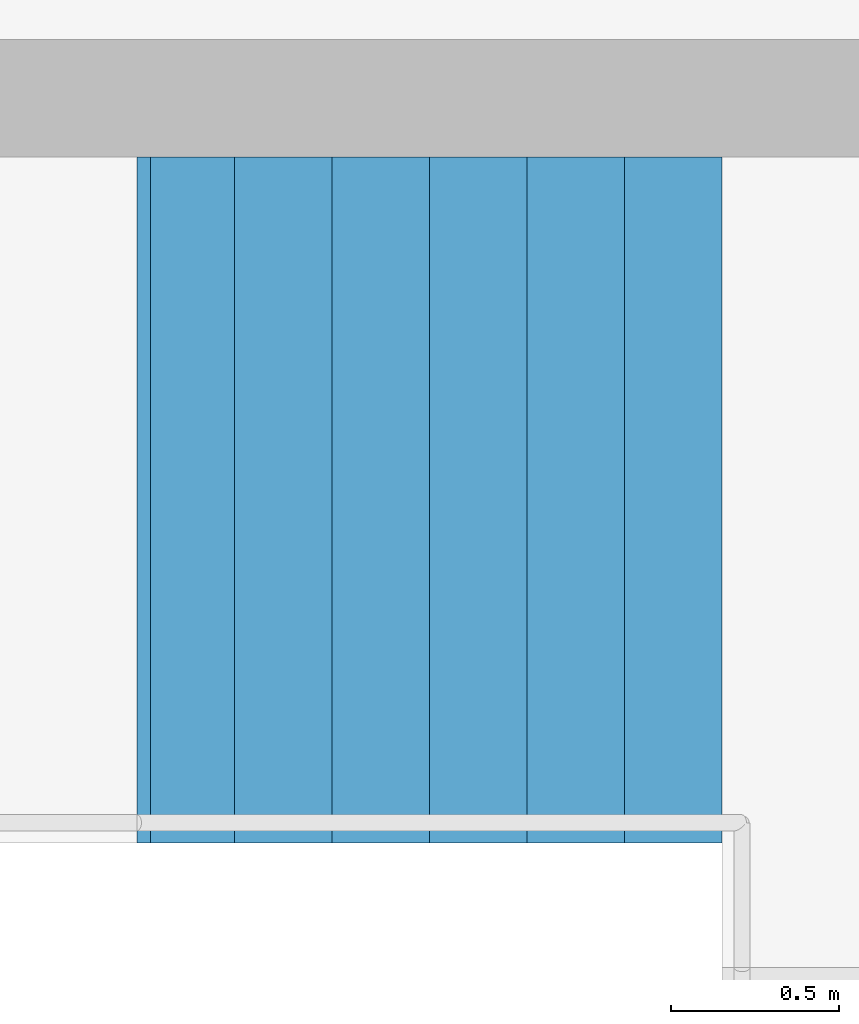
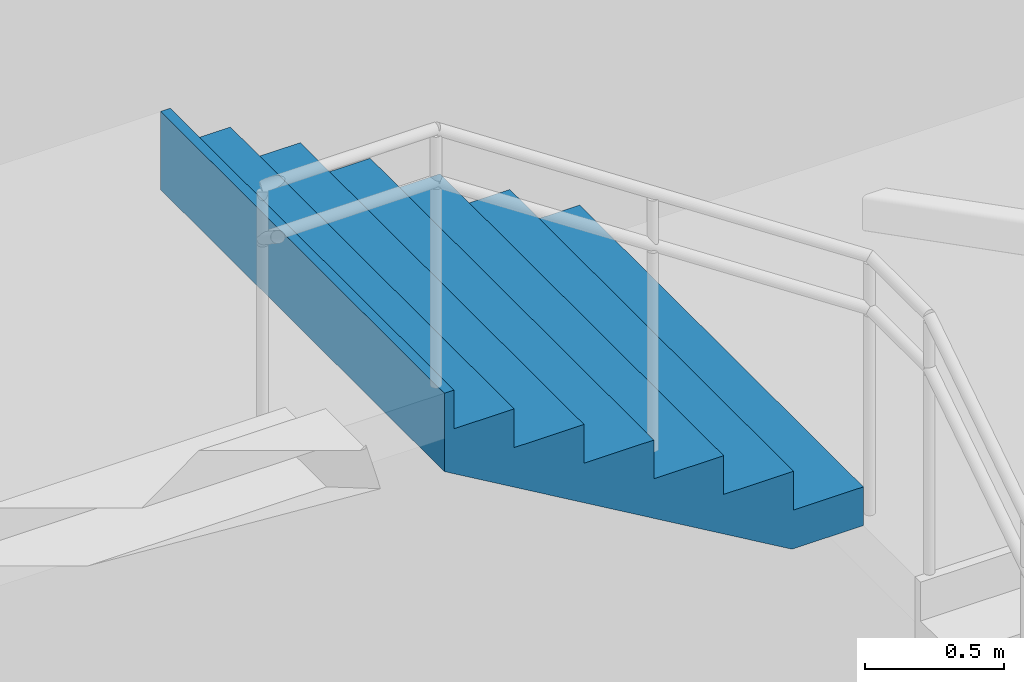
# One storey, part 56 of 58: 1 stair flight, 1 element without a shape of its own.
"""IFC4 building model written with IfcOpenShell, lengths in metres."""

from ifc_helpers import new_model, si_unit, direction, frame, origin, place, context, subcontext, project, spatial, triangles, material, type_object, element, aggregate, save


model = new_model("IFC4")

# Units and contexts
model_context = context("Model", 3, precision=1e-05, world=origin(), true_north=direction((0.0, 1.0)))
body_context = subcontext(model_context, "Body", "Model", "MODEL_VIEW")
ifc_project = project(units=[si_unit("LENGTHUNIT", "METRE"), si_unit("AREAUNIT", "SQUARE_METRE"), si_unit("VOLUMEUNIT", "CUBIC_METRE"), si_unit("PLANEANGLEUNIT", "RADIAN"), si_unit("MASSUNIT", "GRAM", prefix="KILO")], contexts=[model_context])

# Site, building, storey
site_placement = place(None, origin())
site = spatial("IfcSite", under=ifc_project, at=site_placement, CompositionType="ELEMENT")
building_placement = place(site_placement, origin())
building = spatial("IfcBuilding", under=site, at=building_placement, Name="Sillaruma Civic Art Gallery", CompositionType="ELEMENT")
storey_placement = place(building_placement, frame((0.0, 0.0, 52.02001953125)))
storey = spatial("IfcBuildingStorey", under=building, at=storey_placement, Name="L10", CompositionType="ELEMENT", Elevation=52.02001953125)

# Stair, stair flight
ifc_material = material(Name="Concrete H35 (35 MPa)", Category="concrete")
stair_type = type_object("IfcStairType", Name="STR-4F-30", PredefinedType="USERDEFINED", material=ifc_material)
stair_placement = place(storey_placement, origin())
stair = element("IfcStair", 1, at=stair_placement, inside=storey, type_object=stair_type, Name="Protected Exit Stair ST-02 (West Bar North) (L10)", ObjectType="THREE_RETURN_STAIR", PredefinedType="USERDEFINED")
stair_flight_type = type_object("IfcStairFlightType", Name="SFL-STR-7", PredefinedType="STRAIGHT", material=ifc_material)
stair_flight_placement = place(storey_placement, frame((67.199951171875, 86.3701171875, 2.719970703125), z_axis=(0.0, 0.0, 1.0), x_axis=(-1.0, 0.0, 0.0)))
stair_flight = element("IfcStairFlight", 2, at=stair_flight_placement, type_object=stair_flight_type, Name="ST-02 flight 3", NumberOfRisers=7, NumberOfTreads=6, PredefinedType="STRAIGHT", RiserHeight=0.17, TreadLength=0.29, context=body_context, shape_type="Tessellation", body=[
    triangles([(0.0, -1.02001953125, 0.0), (0.29, -1.02001953125, 0.0), (0.296404, -1.02001953125, 0.0), (0.58, -1.02001953125, 0.166246), (0.87, -1.02001953125, 0.336246), (1.16, -1.02001953125, 0.506246), (1.45, -1.02001953125, 0.676246), (1.69999, -1.02001953125, 0.822792), (1.73999, -1.02001953125, 0.84624), (1.73999, -1.02001953125, 1.19), (1.69999, -1.02001953125, 1.19), (1.69999, -1.02001953125, 1.02), (1.45, -1.02001953125, 1.02), (1.45, -1.02001953125, 0.85), (1.16, -1.02001953125, 0.85), (1.16, -1.02001953125, 0.68), (0.87, -1.02001953125, 0.68), (0.87, -1.02001953125, 0.51), (0.58, -1.02001953125, 0.51), (0.58, -1.02001953125, 0.34), (0.296404, -1.02001953125, 0.34), (0.29, -1.02001953125, 0.34), (0.29, -1.02001953125, 0.17), (0.0, -1.02001953125, 0.17), (0.0, -0.05, 0.0), (0.29, -0.05, 0.0), (0.296404, -0.05, 0.0), (0.58, -0.05, 0.166246), (0.87, -0.05, 0.336246), (1.16, -0.05, 0.506246), (1.45, -0.05, 0.676246), (1.69999, -0.05, 0.822792), (1.73999, -0.05, 0.84624), (1.73999, -0.05, 1.19), (1.69999, -0.05, 1.19), (1.69999, -0.05, 1.02), (1.45, -0.05, 1.02), (1.45, -0.05, 0.85), (1.16, -0.05, 0.85), (1.16, -0.05, 0.68), (0.87, -0.05, 0.68), (0.87, -0.05, 0.51), (0.58, -0.05, 0.51), (0.58, -0.05, 0.34), (0.296404, -0.05, 0.34), (0.29, -0.05, 0.34), (0.29, -0.05, 0.17), (0.0, -0.05, 0.17), (0.0, -0.0375, 0.0), (0.29, -0.0375, 0.0), (0.296404, -0.0375, 0.0), (0.58, -0.0375, 0.166246), (0.87, -0.0375, 0.336246), (1.16, -0.0375, 0.506246), (1.45, -0.0375, 0.676246), (1.69999, -0.0375, 0.822792), (1.73999, -0.0375, 0.84624), (1.73999, -0.0375, 1.19), (1.69999, -0.0375, 1.19), (1.69999, -0.0375, 1.02), (1.45, -0.0375, 1.02), (1.45, -0.0375, 0.85), (1.16, -0.0375, 0.85), (1.16, -0.0375, 0.68), (0.87, -0.0375, 0.68), (0.87, -0.0375, 0.51), (0.58, -0.0375, 0.51), (0.58, -0.0375, 0.34), (0.296404, -0.0375, 0.34), (0.29, -0.0375, 0.34), (0.29, -0.0375, 0.17), (0.0, -0.0375, 0.17), (0.0, -0.025, 0.0), (0.29, -0.025, 0.0), (0.296404, -0.025, 0.0), (0.58, -0.025, 0.166246), (0.87, -0.025, 0.336246), (1.16, -0.025, 0.506246), (1.45, -0.025, 0.676246), (1.69999, -0.025, 0.822792), (1.73999, -0.025, 0.84624), (1.73999, -0.025, 1.19), (1.69999, -0.025, 1.19), (1.69999, -0.025, 1.02), (1.45, -0.025, 1.02), (1.45, -0.025, 0.85), (1.16, -0.025, 0.85), (1.16, -0.025, 0.68), (0.87, -0.025, 0.68), (0.87, -0.025, 0.51), (0.58, -0.025, 0.51), (0.58, -0.025, 0.34), (0.296404, -0.025, 0.34), (0.29, -0.025, 0.34), (0.29, -0.025, 0.17), (0.0, -0.025, 0.17), (0.0, -0.0125, 0.0), (0.29, -0.0125, 0.0), (0.296404, -0.0125, 0.0), (0.58, -0.0125, 0.166246), (0.87, -0.0125, 0.336246), (1.16, -0.0125, 0.506246), (1.45, -0.0125, 0.676246), (1.69999, -0.0125, 0.822792), (1.73999, -0.0125, 0.84624), (1.73999, -0.0125, 1.19), (1.69999, -0.0125, 1.19), (1.69999, -0.0125, 1.02), (1.45, -0.0125, 1.02), (1.45, -0.0125, 0.85), (1.16, -0.0125, 0.85), (1.16, -0.0125, 0.68), (0.87, -0.0125, 0.68), (0.87, -0.0125, 0.51), (0.58, -0.0125, 0.51), (0.58, -0.0125, 0.34), (0.296404, -0.0125, 0.34), (0.29, -0.0125, 0.34), (0.29, -0.0125, 0.17), (0.0, -0.0125, 0.17), (0.0, 0.0, 0.0), (0.29, 0.0, 0.0), (0.296404, 0.0, 0.0), (0.58, 0.0, 0.166246), (0.87, 0.0, 0.336246), (1.16, 0.0, 0.506246), (1.45, 0.0, 0.676246), (1.69999, 0.0, 0.822792), (1.73999, 0.0, 0.84624), (1.73999, 0.0, 1.19), (1.69999, 0.0, 1.19), (1.69999, 0.0, 1.02), (1.45, 0.0, 1.02), (1.45, 0.0, 0.85), (1.16, 0.0, 0.85), (1.16, 0.0, 0.68), (0.87, 0.0, 0.68), (0.87, 0.0, 0.51), (0.58, 0.0, 0.51), (0.58, 0.0, 0.34), (0.296404, 0.0, 0.34), (0.29, 0.0, 0.34), (0.29, 0.0, 0.17), (0.0, 0.0, 0.17), (0.0, 0.0125, 0.0), (0.29, 0.0125, 0.0), (0.296404, 0.0125, 0.0), (0.58, 0.0125, 0.166246), (0.87, 0.0125, 0.336246), (1.16, 0.0125, 0.506246), (1.45, 0.0125, 0.676246), (1.69999, 0.0125, 0.822792), (1.73999, 0.0125, 0.84624), (1.73999, 0.0125, 1.19), (1.69999, 0.0125, 1.19), (1.69999, 0.0125, 1.02), (1.45, 0.0125, 1.02), (1.45, 0.0125, 0.85), (1.16, 0.0125, 0.85), (1.16, 0.0125, 0.68), (0.87, 0.0125, 0.68), (0.87, 0.0125, 0.51), (0.58, 0.0125, 0.51), (0.58, 0.0125, 0.34), (0.296404, 0.0125, 0.34), (0.29, 0.0125, 0.34), (0.29, 0.0125, 0.17), (0.0, 0.0125, 0.17), (0.0, 0.025, 0.0), (0.29, 0.025, 0.0), (0.296404, 0.025, 0.0), (0.58, 0.025, 0.166246), (0.87, 0.025, 0.336246), (1.16, 0.025, 0.506246), (1.45, 0.025, 0.676246), (1.69999, 0.025, 0.822792), (1.73999, 0.025, 0.84624), (1.73999, 0.025, 1.19), (1.69999, 0.025, 1.19), (1.69999, 0.025, 1.02), (1.45, 0.025, 1.02), (1.45, 0.025, 0.85), (1.16, 0.025, 0.85), (1.16, 0.025, 0.68), (0.87, 0.025, 0.68), (0.87, 0.025, 0.51), (0.58, 0.025, 0.51), (0.58, 0.025, 0.34), (0.296404, 0.025, 0.34), (0.29, 0.025, 0.34), (0.29, 0.025, 0.17), (0.0, 0.025, 0.17), (0.0, 0.0375, 0.0), (0.29, 0.0375, 0.0), (0.296404, 0.0375, 0.0), (0.58, 0.0375, 0.166246), (0.87, 0.0375, 0.336246), (1.16, 0.0375, 0.506246), (1.45, 0.0375, 0.676246), (1.69999, 0.0375, 0.822792), (1.73999, 0.0375, 0.84624), (1.73999, 0.0375, 1.19), (1.69999, 0.0375, 1.19), (1.69999, 0.0375, 1.02), (1.45, 0.0375, 1.02), (1.45, 0.0375, 0.85), (1.16, 0.0375, 0.85), (1.16, 0.0375, 0.68), (0.87, 0.0375, 0.68), (0.87, 0.0375, 0.51), (0.58, 0.0375, 0.51), (0.58, 0.0375, 0.34), (0.296404, 0.0375, 0.34), (0.29, 0.0375, 0.34), (0.29, 0.0375, 0.17), (0.0, 0.0375, 0.17), (0.0, 0.05, 0.0), (0.29, 0.05, 0.0), (0.296404, 0.05, 0.0), (0.58, 0.05, 0.166246), (0.87, 0.05, 0.336246), (1.16, 0.05, 0.506246), (1.45, 0.05, 0.676246), (1.69999, 0.05, 0.822792), (1.73999, 0.05, 0.84624), (1.73999, 0.05, 1.19), (1.69999, 0.05, 1.19), (1.69999, 0.05, 1.02), (1.45, 0.05, 1.02), (1.45, 0.05, 0.85), (1.16, 0.05, 0.85), (1.16, 0.05, 0.68), (0.87, 0.05, 0.68), (0.87, 0.05, 0.51), (0.58, 0.05, 0.51), (0.58, 0.05, 0.34), (0.296404, 0.05, 0.34), (0.29, 0.05, 0.34), (0.29, 0.05, 0.17), (0.0, 0.05, 0.17), (0.0, 1.02001953125, 0.0), (0.29, 1.02001953125, 0.0), (0.296404, 1.02001953125, 0.0), (0.58, 1.02001953125, 0.166246), (0.87, 1.02001953125, 0.336246), (1.16, 1.02001953125, 0.506246), (1.45, 1.02001953125, 0.676246), (1.69999, 1.02001953125, 0.822792), (1.73999, 1.02001953125, 0.84624), (1.73999, 1.02001953125, 1.19), (1.69999, 1.02001953125, 1.19), (1.69999, 1.02001953125, 1.02), (1.45, 1.02001953125, 1.02), (1.45, 1.02001953125, 0.85), (1.16, 1.02001953125, 0.85), (1.16, 1.02001953125, 0.68), (0.87, 1.02001953125, 0.68), (0.87, 1.02001953125, 0.51), (0.58, 1.02001953125, 0.51), (0.58, 1.02001953125, 0.34), (0.296404, 1.02001953125, 0.34), (0.29, 1.02001953125, 0.34), (0.29, 1.02001953125, 0.17), (0.0, 1.02001953125, 0.17)], [[1, 2, 23], [1, 23, 24], [2, 3, 21], [2, 21, 23], [23, 21, 22], [3, 4, 20], [3, 20, 21], [4, 5, 18], [4, 18, 20], [20, 18, 19], [5, 6, 16], [5, 16, 18], [18, 16, 17], [6, 7, 14], [6, 14, 16], [16, 14, 15], [7, 8, 12], [7, 12, 14], [14, 12, 13], [8, 9, 10], [8, 10, 12], [12, 10, 11], [263, 242, 241], [264, 263, 241], [261, 243, 242], [263, 261, 242], [262, 261, 263], [260, 244, 243], [261, 260, 243], [258, 245, 244], [260, 258, 244], [259, 258, 260], [256, 246, 245], [258, 256, 245], [257, 256, 258], [254, 247, 246], [256, 254, 246], [255, 254, 256], [252, 248, 247], [254, 252, 247], [253, 252, 254], [250, 249, 248], [252, 250, 248], [251, 250, 252], [2, 1, 25], [2, 25, 26], [3, 2, 26], [3, 26, 27], [4, 3, 27], [4, 27, 28], [5, 4, 28], [5, 28, 29], [6, 5, 29], [6, 29, 30], [7, 6, 30], [7, 30, 31], [8, 7, 31], [8, 31, 32], [9, 8, 32], [9, 32, 33], [10, 9, 33], [10, 33, 34], [11, 10, 34], [11, 34, 35], [12, 11, 35], [12, 35, 36], [13, 12, 36], [13, 36, 37], [14, 13, 37], [14, 37, 38], [15, 14, 38], [15, 38, 39], [16, 15, 39], [16, 39, 40], [17, 16, 40], [17, 40, 41], [18, 17, 41], [18, 41, 42], [19, 18, 42], [19, 42, 43], [20, 19, 43], [20, 43, 44], [21, 20, 44], [21, 44, 45], [22, 21, 45], [22, 45, 46], [23, 22, 46], [23, 46, 47], [24, 23, 47], [24, 47, 48], [1, 24, 48], [1, 48, 25], [26, 25, 49], [26, 49, 50], [27, 26, 50], [27, 50, 51], [28, 27, 51], [28, 51, 52], [29, 28, 52], [29, 52, 53], [30, 29, 53], [30, 53, 54], [31, 30, 54], [31, 54, 55], [32, 31, 55], [32, 55, 56], [33, 32, 56], [33, 56, 57], [34, 33, 57], [34, 57, 58], [35, 34, 58], [35, 58, 59], [36, 35, 59], [36, 59, 60], [37, 36, 60], [37, 60, 61], [38, 37, 61], [38, 61, 62], [39, 38, 62], [39, 62, 63], [40, 39, 63], [40, 63, 64], [41, 40, 64], [41, 64, 65], [42, 41, 65], [42, 65, 66], [43, 42, 66], [43, 66, 67], [44, 43, 67], [44, 67, 68], [45, 44, 68], [45, 68, 69], [46, 45, 69], [46, 69, 70], [47, 46, 70], [47, 70, 71], [48, 47, 71], [48, 71, 72], [25, 48, 72], [25, 72, 49], [50, 49, 73], [50, 73, 74], [51, 50, 74], [51, 74, 75], [52, 51, 75], [52, 75, 76], [53, 52, 76], [53, 76, 77], [54, 53, 77], [54, 77, 78], [55, 54, 78], [55, 78, 79], [56, 55, 79], [56, 79, 80], [57, 56, 80], [57, 80, 81], [58, 57, 81], [58, 81, 82], [59, 58, 82], [59, 82, 83], [60, 59, 83], [60, 83, 84], [61, 60, 84], [61, 84, 85], [62, 61, 85], [62, 85, 86], [63, 62, 86], [63, 86, 87], [64, 63, 87], [64, 87, 88], [65, 64, 88], [65, 88, 89], [66, 65, 89], [66, 89, 90], [67, 66, 90], [67, 90, 91], [68, 67, 91], [68, 91, 92], [69, 68, 92], [69, 92, 93], [70, 69, 93], [70, 93, 94], [71, 70, 94], [71, 94, 95], [72, 71, 95], [72, 95, 96], [49, 72, 96], [49, 96, 73], [74, 73, 97], [74, 97, 98], [75, 74, 98], [75, 98, 99], [76, 75, 99], [76, 99, 100], [77, 76, 100], [77, 100, 101], [78, 77, 101], [78, 101, 102], [79, 78, 102], [79, 102, 103], [80, 79, 103], [80, 103, 104], [81, 80, 104], [81, 104, 105], [82, 81, 105], [82, 105, 106], [83, 82, 106], [83, 106, 107], [84, 83, 107], [84, 107, 108], [85, 84, 108], [85, 108, 109], [86, 85, 109], [86, 109, 110], [87, 86, 110], [87, 110, 111], [88, 87, 111], [88, 111, 112], [89, 88, 112], [89, 112, 113], [90, 89, 113], [90, 113, 114], [91, 90, 114], [91, 114, 115], [92, 91, 115], [92, 115, 116], [93, 92, 116], [93, 116, 117], [94, 93, 117], [94, 117, 118], [95, 94, 118], [95, 118, 119], [96, 95, 119], [96, 119, 120], [73, 96, 120], [73, 120, 97], [98, 97, 121], [98, 121, 122], [99, 98, 122], [99, 122, 123], [100, 99, 123], [100, 123, 124], [101, 100, 124], [101, 124, 125], [102, 101, 125], [102, 125, 126], [103, 102, 126], [103, 126, 127], [104, 103, 127], [104, 127, 128], [105, 104, 128], [105, 128, 129], [106, 105, 129], [106, 129, 130], [107, 106, 130], [107, 130, 131], [108, 107, 131], [108, 131, 132], [109, 108, 132], [109, 132, 133], [110, 109, 133], [110, 133, 134], [111, 110, 134], [111, 134, 135], [112, 111, 135], [112, 135, 136], [113, 112, 136], [113, 136, 137], [114, 113, 137], [114, 137, 138], [115, 114, 138], [115, 138, 139], [116, 115, 139], [116, 139, 140], [117, 116, 140], [117, 140, 141], [118, 117, 141], [118, 141, 142], [119, 118, 142], [119, 142, 143], [120, 119, 143], [120, 143, 144], [97, 120, 144], [97, 144, 121], [122, 121, 145], [122, 145, 146], [123, 122, 146], [123, 146, 147], [124, 123, 147], [124, 147, 148], [125, 124, 148], [125, 148, 149], [126, 125, 149], [126, 149, 150], [127, 126, 150], [127, 150, 151], [128, 127, 151], [128, 151, 152], [129, 128, 152], [129, 152, 153], [130, 129, 153], [130, 153, 154], [131, 130, 154], [131, 154, 155], [132, 131, 155], [132, 155, 156], [133, 132, 156], [133, 156, 157], [134, 133, 157], [134, 157, 158], [135, 134, 158], [135, 158, 159], [136, 135, 159], [136, 159, 160], [137, 136, 160], [137, 160, 161], [138, 137, 161], [138, 161, 162], [139, 138, 162], [139, 162, 163], [140, 139, 163], [140, 163, 164], [141, 140, 164], [141, 164, 165], [142, 141, 165], [142, 165, 166], [143, 142, 166], [143, 166, 167], [144, 143, 167], [144, 167, 168], [121, 144, 168], [121, 168, 145], [146, 145, 169], [146, 169, 170], [147, 146, 170], [147, 170, 171], [148, 147, 171], [148, 171, 172], [149, 148, 172], [149, 172, 173], [150, 149, 173], [150, 173, 174], [151, 150, 174], [151, 174, 175], [152, 151, 175], [152, 175, 176], [153, 152, 176], [153, 176, 177], [154, 153, 177], [154, 177, 178], [155, 154, 178], [155, 178, 179], [156, 155, 179], [156, 179, 180], [157, 156, 180], [157, 180, 181], [158, 157, 181], [158, 181, 182], [159, 158, 182], [159, 182, 183], [160, 159, 183], [160, 183, 184], [161, 160, 184], [161, 184, 185], [162, 161, 185], [162, 185, 186], [163, 162, 186], [163, 186, 187], [164, 163, 187], [164, 187, 188], [165, 164, 188], [165, 188, 189], [166, 165, 189], [166, 189, 190], [167, 166, 190], [167, 190, 191], [168, 167, 191], [168, 191, 192], [145, 168, 192], [145, 192, 169], [170, 169, 193], [170, 193, 194], [171, 170, 194], [171, 194, 195], [172, 171, 195], [172, 195, 196], [173, 172, 196], [173, 196, 197], [174, 173, 197], [174, 197, 198], [175, 174, 198], [175, 198, 199], [176, 175, 199], [176, 199, 200], [177, 176, 200], [177, 200, 201], [178, 177, 201], [178, 201, 202], [179, 178, 202], [179, 202, 203], [180, 179, 203], [180, 203, 204], [181, 180, 204], [181, 204, 205], [182, 181, 205], [182, 205, 206], [183, 182, 206], [183, 206, 207], [184, 183, 207], [184, 207, 208], [185, 184, 208], [185, 208, 209], [186, 185, 209], [186, 209, 210], [187, 186, 210], [187, 210, 211], [188, 187, 211], [188, 211, 212], [189, 188, 212], [189, 212, 213], [190, 189, 213], [190, 213, 214], [191, 190, 214], [191, 214, 215], [192, 191, 215], [192, 215, 216], [169, 192, 216], [169, 216, 193], [194, 193, 217], [194, 217, 218], [195, 194, 218], [195, 218, 219], [196, 195, 219], [196, 219, 220], [197, 196, 220], [197, 220, 221], [198, 197, 221], [198, 221, 222], [199, 198, 222], [199, 222, 223], [200, 199, 223], [200, 223, 224], [201, 200, 224], [201, 224, 225], [202, 201, 225], [202, 225, 226], [203, 202, 226], [203, 226, 227], [204, 203, 227], [204, 227, 228], [205, 204, 228], [205, 228, 229], [206, 205, 229], [206, 229, 230], [207, 206, 230], [207, 230, 231], [208, 207, 231], [208, 231, 232], [209, 208, 232], [209, 232, 233], [210, 209, 233], [210, 233, 234], [211, 210, 234], [211, 234, 235], [212, 211, 235], [212, 235, 236], [213, 212, 236], [213, 236, 237], [214, 213, 237], [214, 237, 238], [215, 214, 238], [215, 238, 239], [216, 215, 239], [216, 239, 240], [193, 216, 240], [193, 240, 217], [218, 217, 241], [218, 241, 242], [219, 218, 242], [219, 242, 243], [220, 219, 243], [220, 243, 244], [221, 220, 244], [221, 244, 245], [222, 221, 245], [222, 245, 246], [223, 222, 246], [223, 246, 247], [224, 223, 247], [224, 247, 248], [225, 224, 248], [225, 248, 249], [226, 225, 249], [226, 249, 250], [227, 226, 250], [227, 250, 251], [228, 227, 251], [228, 251, 252], [229, 228, 252], [229, 252, 253], [230, 229, 253], [230, 253, 254], [231, 230, 254], [231, 254, 255], [232, 231, 255], [232, 255, 256], [233, 232, 256], [233, 256, 257], [234, 233, 257], [234, 257, 258], [235, 234, 258], [235, 258, 259], [236, 235, 259], [236, 259, 260], [237, 236, 260], [237, 260, 261], [238, 237, 261], [238, 261, 262], [239, 238, 262], [239, 262, 263], [240, 239, 263], [240, 263, 264], [217, 240, 264], [217, 264, 241]], closed=True),
])
aggregate(stair, [stair_flight])

save(model, "model.ifc")
